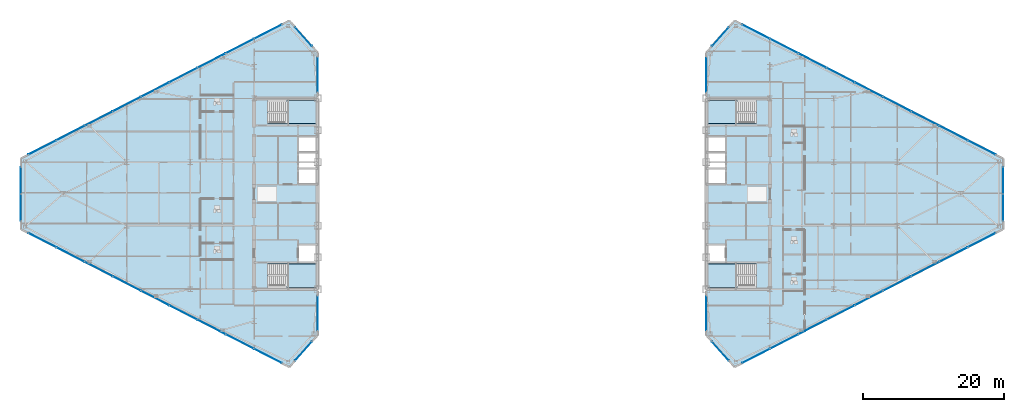
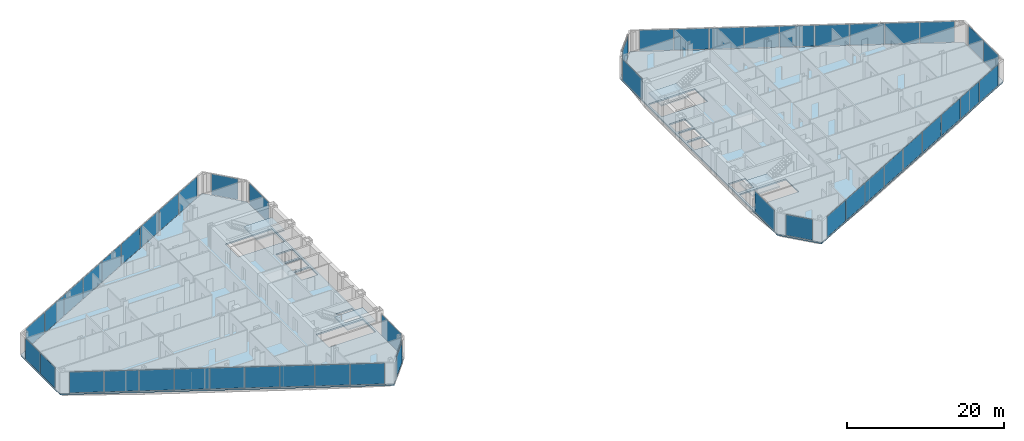
# One storey, part 14 of 23: 48 plates, 6 slabs, 18 elements without a shape of their own.
"""IFC4 building model written with IfcOpenShell, lengths in metres."""

from ifc_helpers import new_model, si_unit, direction, frame, origin, origin_2d, place, context, subcontext, project, spatial, polyline, rectangle, outline, extrude, source, transform, mapped, material, layer, layer_set, type_object, type_shapes, element, aggregate, save


model = new_model("IFC4")

# Units and contexts
model_context = context("Model", 3, precision=1e-05, world=origin(), true_north=direction((0.0, 1.0)))
body_context = subcontext(model_context, "Body", "Model", "MODEL_VIEW")
ifc_project = project(units=[si_unit("LENGTHUNIT", "METRE"), si_unit("AREAUNIT", "SQUARE_METRE"), si_unit("VOLUMEUNIT", "CUBIC_METRE"), si_unit("PLANEANGLEUNIT", "RADIAN"), si_unit("MASSUNIT", "GRAM", prefix="KILO")], contexts=[model_context])

# Site, building, storey
site_placement = place(None, origin())
site = spatial("IfcSite", under=ifc_project, at=site_placement, CompositionType="ELEMENT")
building_placement = place(site_placement, origin())
building = spatial("IfcBuilding", under=site, at=building_placement, Name="Seokmaru Belvedere", CompositionType="ELEMENT")
storey_placement = place(building_placement, frame((0.0, 0.0, 154.800048828125)))
storey = spatial("IfcBuildingStorey", under=building, at=storey_placement, Name="L41", CompositionType="ELEMENT", Elevation=154.800048828125)

# Stair, slab
ifc_material_1 = material(Name="Concrete C40 (40 MPa)", Category="concrete")
stair_type = type_object("IfcStairType", Name="Typical Tower Core Dog-Leg Stair 3600", PredefinedType="TWO_STRAIGHT_RUN_STAIR", material=ifc_material_1)
stair_1_placement = place(storey_placement, origin())
stair_1 = element("IfcStair", 1, at=stair_1_placement, inside=storey, type_object=stair_type, Name="L41 Special Escape Stair ST-W1", PredefinedType="TWO_STRAIGHT_RUN_STAIR")
ifc_layer_1 = layer(ifc_material_1, 0.199951171875)
ifc_layer_set_1 = layer_set([ifc_layer_1], Name="Concrete C40 (40 MPa)")
slab_type_1 = type_object("IfcSlabType", Name="Reinforced Concrete Stair Landing Slab 200", PredefinedType="LANDING", material=ifc_layer_set_1)
slab_1_placement = place(storey_placement, frame((0.0, 0.0, 1.599853515625)))
slab_1 = element("IfcSlab", 2, at=slab_1_placement, type_object=slab_type_1, Name="ST-W1 landing 1", PredefinedType="LANDING", context=body_context, shape_type="SweptSolid", body=[
    extrude(outline(polyline([(-31.8798828125, -13.239990234375), (-27.760009765625, -13.239990234375), (-27.760009765625, -9.949951171875), (-31.8798828125, -9.949951171875), (-31.8798828125, -13.239990234375)])), origin(), (0.0, 0.0, 1.0), 0.2001953125),
])
aggregate(stair_1, [slab_1])

stair_2_placement = place(storey_placement, origin())
stair_2 = element("IfcStair", 3, at=stair_2_placement, inside=storey, type_object=stair_type, Name="L41 Special Escape Stair ST-W2", PredefinedType="TWO_STRAIGHT_RUN_STAIR")
slab_2_placement = place(storey_placement, frame((0.0, 0.0, 1.599853515625)))
slab_2 = element("IfcSlab", 4, at=slab_2_placement, type_object=slab_type_1, Name="ST-W2 landing 1", PredefinedType="LANDING", context=body_context, shape_type="SweptSolid", body=[
    extrude(outline(polyline([(-31.8798828125, 9.949951171875), (-27.760009765625, 9.949951171875), (-27.760009765625, 13.239990234375), (-31.8798828125, 13.239990234375), (-31.8798828125, 9.949951171875)])), origin(), (0.0, 0.0, 1.0), 0.2001953125),
])
aggregate(stair_2, [slab_2])

stair_3_placement = place(storey_placement, origin())
stair_3 = element("IfcStair", 5, at=stair_3_placement, inside=storey, type_object=stair_type, Name="L41 Special Escape Stair ST-E1", PredefinedType="TWO_STRAIGHT_RUN_STAIR")
slab_3_placement = place(storey_placement, frame((0.0, 0.0, 1.599853515625)))
slab_3 = element("IfcSlab", 6, at=slab_3_placement, type_object=slab_type_1, Name="ST-E1 landing 1", PredefinedType="LANDING", context=body_context, shape_type="SweptSolid", body=[
    extrude(outline(polyline([(27.760009765625, -13.239990234375), (31.8798828125, -13.239990234375), (31.8798828125, -9.949951171875), (27.760009765625, -9.949951171875), (27.760009765625, -13.239990234375)])), origin(), (0.0, 0.0, 1.0), 0.2001953125),
])
aggregate(stair_3, [slab_3])

stair_4_placement = place(storey_placement, origin())
stair_4 = element("IfcStair", 7, at=stair_4_placement, inside=storey, type_object=stair_type, Name="L41 Special Escape Stair ST-E2", PredefinedType="TWO_STRAIGHT_RUN_STAIR")
slab_4_placement = place(storey_placement, frame((0.0, 0.0, 1.599853515625)))
slab_4 = element("IfcSlab", 8, at=slab_4_placement, type_object=slab_type_1, Name="ST-E2 landing 1", PredefinedType="LANDING", context=body_context, shape_type="SweptSolid", body=[
    extrude(outline(polyline([(27.760009765625, 9.949951171875), (31.8798828125, 9.949951171875), (31.8798828125, 13.239990234375), (27.760009765625, 13.239990234375), (27.760009765625, 9.949951171875)])), origin(), (0.0, 0.0, 1.0), 0.2001953125),
])
aggregate(stair_4, [slab_4])

# Slabs
ifc_layer_2 = layer(ifc_material_1, 0.219970703125)
ifc_layer_set_2 = layer_set([ifc_layer_2], Name="Concrete C40 (40 MPa)")
slab_type_2 = type_object("IfcSlabType", Name="Typical Tower Composite Floor Slab 220", PredefinedType="FLOOR", material=ifc_layer_set_2)
slab_5_placement = place(storey_placement, frame((0.0, 0.0, -0.219970703125)))
element("IfcSlab", 9, at=slab_5_placement, inside=storey, type_object=slab_type_2, Name="L41 West Leg Floor Slab", PredefinedType="FLOOR", context=body_context, shape_type="SweptSolid", body=[
    extrude(outline(polyline([(-27.5, -20.0), (-27.5, 20.0), (-31.5, 24.5), (-69.5, 5.0), (-69.5, -5.0), (-31.5, -24.5), (-27.5, -20.0)]), holes=[polyline([(-34.60009765625, -13.25), (-27.75, -13.25), (-27.75, -9.949951171875), (-34.60009765625, -9.949951171875), (-34.60009765625, -13.25)]), polyline([(-34.60009765625, 9.949951171875), (-27.75, 9.949951171875), (-27.75, 13.25), (-34.60009765625, 13.25), (-34.60009765625, 9.949951171875)]), polyline([(-30.14990234375, -9.550048828125), (-27.75, -9.550048828125), (-27.75, -7.25), (-30.14990234375, -7.25), (-30.14990234375, -9.550048828125)]), polyline([(-30.14990234375, 1.449951171875), (-27.75, 1.449951171875), (-27.75, 3.449951171875), (-30.14990234375, 3.449951171875), (-30.14990234375, 1.449951171875)]), polyline([(-30.14990234375, 3.75), (-27.75, 3.75), (-27.75, 5.75), (-30.14990234375, 5.75), (-30.14990234375, 3.75)]), polyline([(-30.14990234375, 6.050048828125), (-27.75, 6.050048828125), (-27.75, 8.050048828125), (-30.14990234375, 8.050048828125), (-30.14990234375, 6.050048828125)])]), origin(), (0.0, 0.0, 1.0), 0.219970703125),
])
slab_6_placement = place(storey_placement, frame((0.0, 0.0, -0.219970703125)))
element("IfcSlab", 10, at=slab_6_placement, inside=storey, type_object=slab_type_2, Name="L41 East Leg Floor Slab", PredefinedType="FLOOR", context=body_context, shape_type="SweptSolid", body=[
    extrude(outline(polyline([(31.5, -24.5), (69.5, -5.0), (69.5, 5.0), (31.5, 24.5), (27.5, 20.0), (27.5, -20.0), (31.5, -24.5)]), holes=[polyline([(27.75, -13.25), (34.60009765625, -13.25), (34.60009765625, -9.949951171875), (27.75, -9.949951171875), (27.75, -13.25)]), polyline([(27.75, 9.949951171875), (34.60009765625, 9.949951171875), (34.60009765625, 13.25), (27.75, 13.25), (27.75, 9.949951171875)]), polyline([(27.75, -9.550048828125), (30.14990234375, -9.550048828125), (30.14990234375, -7.25), (27.75, -7.25), (27.75, -9.550048828125)]), polyline([(27.75, 1.449951171875), (30.14990234375, 1.449951171875), (30.14990234375, 3.449951171875), (27.75, 3.449951171875), (27.75, 1.449951171875)]), polyline([(27.75, 3.75), (30.14990234375, 3.75), (30.14990234375, 5.75), (27.75, 5.75), (27.75, 3.75)]), polyline([(27.75, 6.050048828125), (30.14990234375, 6.050048828125), (30.14990234375, 8.050048828125), (27.75, 8.050048828125), (27.75, 6.050048828125)])]), origin(), (0.0, 0.0, 1.0), 0.219970703125),
])

# Curtain wall, plate
ifc_material_2 = material(Name="Bronze Triple Insulating Glass", Category="glass")
ifc_layer_3 = layer(ifc_material_2, 0.195068359375)
ifc_layer_set_3 = layer_set([ifc_layer_3], Name="Bronze Triple Insulating Glass")
curtain_wall_type = type_object("IfcCurtainWallType", Name="Sky-Lobby and Mid-Rise Curtain Wall System CW-4", PredefinedType="NOTDEFINED", material=ifc_layer_set_3)
curtain_wall_1_placement = place(storey_placement, origin())
curtain_wall_1 = element("IfcCurtainWall", 11, at=curtain_wall_1_placement, inside=storey, type_object=curtain_wall_type, Name="L41 Curtain Wall WF2", PredefinedType="NOTDEFINED")
ifc_layer_4 = layer(ifc_material_2, 0.035888671875)
ifc_layer_set_4 = layer_set([ifc_layer_4], Name="Bronze Triple Insulating Glass")
plate_type = type_object("IfcPlateType", Name="Bronze Triple Vision Glazing Panel 36", PredefinedType="CURTAIN_PANEL", material=ifc_layer_set_4)
shared_shape_1 = source(origin(), body_context, "Body", "SweptSolid", [
    extrude(rectangle(XDim=3.580810546875, YDim=0.035888671875, at=origin_2d()), origin(), (0.0, 0.0, 1.0), 3.25),
])
plate_1_placement = place(storey_placement, frame((-29.5, 22.25, 0.06494140625), z_axis=(0.0, 0.0, 1.0), x_axis=(-0.664363325694, 0.747409774804, 0.0)))
plate_1 = element("IfcPlate", 12, at=plate_1_placement, type_object=plate_type, Name="CW:L41:WF2 Glazing Panel 1-1", PredefinedType="CURTAIN_PANEL", context=body_context, shape_type="MappedRepresentation", body=[
    mapped(shared_shape_1, transform((0.0, 0.0, 0.0), scale=1.0)),
])
aggregate(curtain_wall_1, [plate_1])

curtain_wall_2_placement = place(storey_placement, origin())
curtain_wall_2 = element("IfcCurtainWall", 13, at=curtain_wall_2_placement, inside=storey, type_object=curtain_wall_type, Name="L41 Curtain Wall WF6", PredefinedType="NOTDEFINED")
plate_2_placement = place(storey_placement, frame((-29.5, -22.25, 0.06494140625), z_axis=(0.0, 0.0, 1.0), x_axis=(0.664363325694, 0.747409774804, 0.0)))
plate_2 = element("IfcPlate", 14, at=plate_2_placement, type_object=plate_type, Name="CW:L41:WF6 Glazing Panel 1-1", PredefinedType="CURTAIN_PANEL", context=body_context, shape_type="MappedRepresentation", body=[
    mapped(shared_shape_1, transform((0.0, 0.0, 0.0), scale=1.0)),
])
aggregate(curtain_wall_2, [plate_2])

curtain_wall_3_placement = place(storey_placement, origin())
curtain_wall_3 = element("IfcCurtainWall", 15, at=curtain_wall_3_placement, inside=storey, type_object=curtain_wall_type, Name="L41 Curtain Wall EF4", PredefinedType="NOTDEFINED")
plate_3_placement = place(storey_placement, frame((29.5, 22.25, 0.06494140625), z_axis=(0.0, 0.0, 1.0), x_axis=(-0.664363325694, -0.747409774804, 0.0)))
plate_3 = element("IfcPlate", 16, at=plate_3_placement, type_object=plate_type, Name="CW:L41:EF4 Glazing Panel 1-1", PredefinedType="CURTAIN_PANEL", context=body_context, shape_type="MappedRepresentation", body=[
    mapped(shared_shape_1, transform((0.0, 0.0, 0.0), scale=1.0)),
])
aggregate(curtain_wall_3, [plate_3])

curtain_wall_4_placement = place(storey_placement, origin())
curtain_wall_4 = element("IfcCurtainWall", 17, at=curtain_wall_4_placement, inside=storey, type_object=curtain_wall_type, Name="L41 Curtain Wall EF6", PredefinedType="NOTDEFINED")
plate_4_placement = place(storey_placement, frame((29.5, -22.25, 0.06494140625), z_axis=(0.0, 0.0, 1.0), x_axis=(0.664363325694, -0.747409774804, 0.0)))
plate_4 = element("IfcPlate", 18, at=plate_4_placement, type_object=plate_type, Name="CW:L41:EF6 Glazing Panel 1-1", PredefinedType="CURTAIN_PANEL", context=body_context, shape_type="MappedRepresentation", body=[
    mapped(shared_shape_1, transform((0.0, 0.0, 0.0), scale=1.0)),
])
aggregate(curtain_wall_4, [plate_4])

# Curtain wall, plates
curtain_wall_5_placement = place(storey_placement, origin())
curtain_wall_5 = element("IfcCurtainWall", 19, at=curtain_wall_5_placement, inside=storey, type_object=curtain_wall_type, Name="L41 Curtain Wall WF3", PredefinedType="NOTDEFINED")
shared_shape_2 = source(origin(), body_context, "Body", "SweptSolid", [
    extrude(rectangle(XDim=4.38525390625, YDim=0.035888671875, at=origin_2d()), origin(), (0.0, 0.0, 1.0), 3.25),
])
plate_5_placement = place(storey_placement, frame((-34.5361328125, 22.94189453125, 0.06494140625), z_axis=(0.0, 0.0, 1.0), x_axis=(-0.889695432562, -0.456554528263, 0.0)))
plate_5 = element("IfcPlate", 20, at=plate_5_placement, type_object=plate_type, Name="CW:L41:WF3 Glazing Panel 1-1", PredefinedType="CURTAIN_PANEL", context=body_context, shape_type="MappedRepresentation", body=[
    mapped(shared_shape_2, transform((0.0, 0.0, 0.0), scale=1.0)),
])
plate_6_placement = place(storey_placement, frame((-66.4638671875, 6.55810546875, 0.06494140625), z_axis=(0.0, 0.0, 1.0), x_axis=(-0.889695432562, -0.456554528263, 0.0)))
plate_6 = element("IfcPlate", 21, at=plate_6_placement, type_object=plate_type, Name="CW:L41:WF3 Glazing Panel 9-1", PredefinedType="CURTAIN_PANEL", context=body_context, shape_type="MappedRepresentation", body=[
    mapped(shared_shape_2, transform((0.0, 0.0, 0.0), scale=1.0)),
])

curtain_wall_6_placement = place(storey_placement, origin())
curtain_wall_6 = element("IfcCurtainWall", 22, at=curtain_wall_6_placement, inside=storey, type_object=curtain_wall_type, Name="L41 Curtain Wall WF5", PredefinedType="NOTDEFINED")
plate_7_placement = place(storey_placement, frame((-66.4638671875, -6.55810546875, 0.06494140625), z_axis=(0.0, 0.0, 1.0), x_axis=(0.889695432562, -0.456554528263, 0.0)))
plate_7 = element("IfcPlate", 23, at=plate_7_placement, type_object=plate_type, Name="CW:L41:WF5 Glazing Panel 1-1", PredefinedType="CURTAIN_PANEL", context=body_context, shape_type="MappedRepresentation", body=[
    mapped(shared_shape_2, transform((0.0, 0.0, 0.0), scale=1.0)),
])
plate_8_placement = place(storey_placement, frame((-34.5361328125, -22.94189453125, 0.06494140625), z_axis=(0.0, 0.0, 1.0), x_axis=(0.889695432562, -0.456554528263, 0.0)))
plate_8 = element("IfcPlate", 24, at=plate_8_placement, type_object=plate_type, Name="CW:L41:WF5 Glazing Panel 9-1", PredefinedType="CURTAIN_PANEL", context=body_context, shape_type="MappedRepresentation", body=[
    mapped(shared_shape_2, transform((0.0, 0.0, 0.0), scale=1.0)),
])

curtain_wall_7_placement = place(storey_placement, origin())
curtain_wall_7 = element("IfcCurtainWall", 25, at=curtain_wall_7_placement, inside=storey, type_object=curtain_wall_type, Name="L41 Curtain Wall EF1", PredefinedType="NOTDEFINED")
plate_9_placement = place(storey_placement, frame((34.5361328125, -22.94189453125, 0.06494140625), z_axis=(0.0, 0.0, 1.0), x_axis=(0.889695432562, 0.456554528263, 0.0)))
plate_9 = element("IfcPlate", 26, at=plate_9_placement, type_object=plate_type, Name="CW:L41:EF1 Glazing Panel 1-1", PredefinedType="CURTAIN_PANEL", context=body_context, shape_type="MappedRepresentation", body=[
    mapped(shared_shape_2, transform((0.0, 0.0, 0.0), scale=1.0)),
])
plate_10_placement = place(storey_placement, frame((66.4638671875, -6.55810546875, 0.06494140625), z_axis=(0.0, 0.0, 1.0), x_axis=(0.889695432562, 0.456554528263, 0.0)))
plate_10 = element("IfcPlate", 27, at=plate_10_placement, type_object=plate_type, Name="CW:L41:EF1 Glazing Panel 9-1", PredefinedType="CURTAIN_PANEL", context=body_context, shape_type="MappedRepresentation", body=[
    mapped(shared_shape_2, transform((0.0, 0.0, 0.0), scale=1.0)),
])

curtain_wall_8_placement = place(storey_placement, origin())
curtain_wall_8 = element("IfcCurtainWall", 28, at=curtain_wall_8_placement, inside=storey, type_object=curtain_wall_type, Name="L41 Curtain Wall EF3", PredefinedType="NOTDEFINED")
plate_11_placement = place(storey_placement, frame((66.4638671875, 6.55810546875, 0.06494140625), z_axis=(0.0, 0.0, 1.0), x_axis=(-0.889695432562, 0.456554528263, 0.0)))
plate_11 = element("IfcPlate", 29, at=plate_11_placement, type_object=plate_type, Name="CW:L41:EF3 Glazing Panel 1-1", PredefinedType="CURTAIN_PANEL", context=body_context, shape_type="MappedRepresentation", body=[
    mapped(shared_shape_2, transform((0.0, 0.0, 0.0), scale=1.0)),
])
plate_12_placement = place(storey_placement, frame((34.5361328125, 22.94189453125, 0.06494140625), z_axis=(0.0, 0.0, 1.0), x_axis=(-0.889695432562, 0.456554528263, 0.0)))
plate_12 = element("IfcPlate", 30, at=plate_12_placement, type_object=plate_type, Name="CW:L41:EF3 Glazing Panel 9-1", PredefinedType="CURTAIN_PANEL", context=body_context, shape_type="MappedRepresentation", body=[
    mapped(shared_shape_2, transform((0.0, 0.0, 0.0), scale=1.0)),
])

# Plate
shared_shape_3 = source(origin(), body_context, "Body", "SweptSolid", [
    extrude(rectangle(XDim=4.420166015625, YDim=0.035888671875, at=origin_2d()), origin(), (0.0, 0.0, 1.0), 3.25),
])
plate_13_placement = place(storey_placement, frame((-38.515380859375, 20.89990234375, 0.06494140625), z_axis=(0.0, 0.0, 1.0), x_axis=(-0.889695432562, -0.456554528263, 0.0)))
plate_13 = element("IfcPlate", 31, at=plate_13_placement, type_object=plate_type, Name="CW:L41:WF3 Glazing Panel 2-1", PredefinedType="CURTAIN_PANEL", context=body_context, shape_type="MappedRepresentation", body=[
    mapped(shared_shape_3, transform((0.0, 0.0, 0.0), scale=1.0)),
])

plate_14_placement = place(storey_placement, frame((-42.51025390625, 18.85009765625, 0.06494140625), z_axis=(0.0, 0.0, 1.0), x_axis=(-0.889695432562, -0.456554528263, 0.0)))
plate_14 = element("IfcPlate", 32, at=plate_14_placement, type_object=plate_type, Name="CW:L41:WF3 Glazing Panel 3-1", PredefinedType="CURTAIN_PANEL", context=body_context, shape_type="MappedRepresentation", body=[
    mapped(shared_shape_3, transform((0.0, 0.0, 0.0), scale=1.0)),
])

plate_15_placement = place(storey_placement, frame((-46.505126953125, 16.800048828125, 0.06494140625), z_axis=(0.0, 0.0, 1.0), x_axis=(-0.889695432562, -0.456554528263, 0.0)))
plate_15 = element("IfcPlate", 33, at=plate_15_placement, type_object=plate_type, Name="CW:L41:WF3 Glazing Panel 4-1", PredefinedType="CURTAIN_PANEL", context=body_context, shape_type="MappedRepresentation", body=[
    mapped(shared_shape_3, transform((0.0, 0.0, 0.0), scale=1.0)),
])

plate_16_placement = place(storey_placement, frame((-50.5, 14.75, 0.06494140625), z_axis=(0.0, 0.0, 1.0), x_axis=(-0.889695432562, -0.456554528263, 0.0)))
plate_16 = element("IfcPlate", 34, at=plate_16_placement, type_object=plate_type, Name="CW:L41:WF3 Glazing Panel 5-1", PredefinedType="CURTAIN_PANEL", context=body_context, shape_type="MappedRepresentation", body=[
    mapped(shared_shape_3, transform((0.0, 0.0, 0.0), scale=1.0)),
])

plate_17_placement = place(storey_placement, frame((-54.494873046875, 12.699951171875, 0.06494140625), z_axis=(0.0, 0.0, 1.0), x_axis=(-0.889695432562, -0.456554528263, 0.0)))
plate_17 = element("IfcPlate", 35, at=plate_17_placement, type_object=plate_type, Name="CW:L41:WF3 Glazing Panel 6-1", PredefinedType="CURTAIN_PANEL", context=body_context, shape_type="MappedRepresentation", body=[
    mapped(shared_shape_3, transform((0.0, 0.0, 0.0), scale=1.0)),
])

plate_18_placement = place(storey_placement, frame((-58.48974609375, 10.64990234375, 0.06494140625), z_axis=(0.0, 0.0, 1.0), x_axis=(-0.889695432562, -0.456554528263, 0.0)))
plate_18 = element("IfcPlate", 36, at=plate_18_placement, type_object=plate_type, Name="CW:L41:WF3 Glazing Panel 7-1", PredefinedType="CURTAIN_PANEL", context=body_context, shape_type="MappedRepresentation", body=[
    mapped(shared_shape_3, transform((0.0, 0.0, 0.0), scale=1.0)),
])

plate_19_placement = place(storey_placement, frame((-62.484619140625, 8.60009765625, 0.06494140625), z_axis=(0.0, 0.0, 1.0), x_axis=(-0.889695432562, -0.456554528263, 0.0)))
plate_19 = element("IfcPlate", 37, at=plate_19_placement, type_object=plate_type, Name="CW:L41:WF3 Glazing Panel 8-1", PredefinedType="CURTAIN_PANEL", context=body_context, shape_type="MappedRepresentation", body=[
    mapped(shared_shape_3, transform((0.0, 0.0, 0.0), scale=1.0)),
])

aggregate(curtain_wall_5, [plate_5, plate_13, plate_14, plate_15, plate_16, plate_17, plate_18, plate_19, plate_6])

plate_20_placement = place(storey_placement, frame((-62.484619140625, -8.60009765625, 0.06494140625), z_axis=(0.0, 0.0, 1.0), x_axis=(0.889695432562, -0.456554528263, 0.0)))
plate_20 = element("IfcPlate", 38, at=plate_20_placement, type_object=plate_type, Name="CW:L41:WF5 Glazing Panel 2-1", PredefinedType="CURTAIN_PANEL", context=body_context, shape_type="MappedRepresentation", body=[
    mapped(shared_shape_3, transform((0.0, 0.0, 0.0), scale=1.0)),
])

plate_21_placement = place(storey_placement, frame((-58.48974609375, -10.64990234375, 0.06494140625), z_axis=(0.0, 0.0, 1.0), x_axis=(0.889695432562, -0.456554528263, 0.0)))
plate_21 = element("IfcPlate", 39, at=plate_21_placement, type_object=plate_type, Name="CW:L41:WF5 Glazing Panel 3-1", PredefinedType="CURTAIN_PANEL", context=body_context, shape_type="MappedRepresentation", body=[
    mapped(shared_shape_3, transform((0.0, 0.0, 0.0), scale=1.0)),
])

plate_22_placement = place(storey_placement, frame((-54.494873046875, -12.699951171875, 0.06494140625), z_axis=(0.0, 0.0, 1.0), x_axis=(0.889695432562, -0.456554528263, 0.0)))
plate_22 = element("IfcPlate", 40, at=plate_22_placement, type_object=plate_type, Name="CW:L41:WF5 Glazing Panel 4-1", PredefinedType="CURTAIN_PANEL", context=body_context, shape_type="MappedRepresentation", body=[
    mapped(shared_shape_3, transform((0.0, 0.0, 0.0), scale=1.0)),
])

plate_23_placement = place(storey_placement, frame((-50.5, -14.75, 0.06494140625), z_axis=(0.0, 0.0, 1.0), x_axis=(0.889695432562, -0.456554528263, 0.0)))
plate_23 = element("IfcPlate", 41, at=plate_23_placement, type_object=plate_type, Name="CW:L41:WF5 Glazing Panel 5-1", PredefinedType="CURTAIN_PANEL", context=body_context, shape_type="MappedRepresentation", body=[
    mapped(shared_shape_3, transform((0.0, 0.0, 0.0), scale=1.0)),
])

plate_24_placement = place(storey_placement, frame((-46.505126953125, -16.800048828125, 0.06494140625), z_axis=(0.0, 0.0, 1.0), x_axis=(0.889695432562, -0.456554528263, 0.0)))
plate_24 = element("IfcPlate", 42, at=plate_24_placement, type_object=plate_type, Name="CW:L41:WF5 Glazing Panel 6-1", PredefinedType="CURTAIN_PANEL", context=body_context, shape_type="MappedRepresentation", body=[
    mapped(shared_shape_3, transform((0.0, 0.0, 0.0), scale=1.0)),
])

plate_25_placement = place(storey_placement, frame((-42.51025390625, -18.85009765625, 0.06494140625), z_axis=(0.0, 0.0, 1.0), x_axis=(0.889695432562, -0.456554528263, 0.0)))
plate_25 = element("IfcPlate", 43, at=plate_25_placement, type_object=plate_type, Name="CW:L41:WF5 Glazing Panel 7-1", PredefinedType="CURTAIN_PANEL", context=body_context, shape_type="MappedRepresentation", body=[
    mapped(shared_shape_3, transform((0.0, 0.0, 0.0), scale=1.0)),
])

plate_26_placement = place(storey_placement, frame((-38.515380859375, -20.89990234375, 0.06494140625), z_axis=(0.0, 0.0, 1.0), x_axis=(0.889695432562, -0.456554528263, 0.0)))
plate_26 = element("IfcPlate", 44, at=plate_26_placement, type_object=plate_type, Name="CW:L41:WF5 Glazing Panel 8-1", PredefinedType="CURTAIN_PANEL", context=body_context, shape_type="MappedRepresentation", body=[
    mapped(shared_shape_3, transform((0.0, 0.0, 0.0), scale=1.0)),
])

aggregate(curtain_wall_6, [plate_7, plate_20, plate_21, plate_22, plate_23, plate_24, plate_25, plate_26, plate_8])

plate_27_placement = place(storey_placement, frame((38.515380859375, -20.89990234375, 0.06494140625), z_axis=(0.0, 0.0, 1.0), x_axis=(0.889695432562, 0.456554528263, 0.0)))
plate_27 = element("IfcPlate", 45, at=plate_27_placement, type_object=plate_type, Name="CW:L41:EF1 Glazing Panel 2-1", PredefinedType="CURTAIN_PANEL", context=body_context, shape_type="MappedRepresentation", body=[
    mapped(shared_shape_3, transform((0.0, 0.0, 0.0), scale=1.0)),
])

plate_28_placement = place(storey_placement, frame((42.51025390625, -18.85009765625, 0.06494140625), z_axis=(0.0, 0.0, 1.0), x_axis=(0.889695432562, 0.456554528263, 0.0)))
plate_28 = element("IfcPlate", 46, at=plate_28_placement, type_object=plate_type, Name="CW:L41:EF1 Glazing Panel 3-1", PredefinedType="CURTAIN_PANEL", context=body_context, shape_type="MappedRepresentation", body=[
    mapped(shared_shape_3, transform((0.0, 0.0, 0.0), scale=1.0)),
])

plate_29_placement = place(storey_placement, frame((46.505126953125, -16.800048828125, 0.06494140625), z_axis=(0.0, 0.0, 1.0), x_axis=(0.889695432562, 0.456554528263, 0.0)))
plate_29 = element("IfcPlate", 47, at=plate_29_placement, type_object=plate_type, Name="CW:L41:EF1 Glazing Panel 4-1", PredefinedType="CURTAIN_PANEL", context=body_context, shape_type="MappedRepresentation", body=[
    mapped(shared_shape_3, transform((0.0, 0.0, 0.0), scale=1.0)),
])

plate_30_placement = place(storey_placement, frame((50.5, -14.75, 0.06494140625), z_axis=(0.0, 0.0, 1.0), x_axis=(0.889695432562, 0.456554528263, 0.0)))
plate_30 = element("IfcPlate", 48, at=plate_30_placement, type_object=plate_type, Name="CW:L41:EF1 Glazing Panel 5-1", PredefinedType="CURTAIN_PANEL", context=body_context, shape_type="MappedRepresentation", body=[
    mapped(shared_shape_3, transform((0.0, 0.0, 0.0), scale=1.0)),
])

plate_31_placement = place(storey_placement, frame((54.494873046875, -12.699951171875, 0.06494140625), z_axis=(0.0, 0.0, 1.0), x_axis=(0.889695432562, 0.456554528263, 0.0)))
plate_31 = element("IfcPlate", 49, at=plate_31_placement, type_object=plate_type, Name="CW:L41:EF1 Glazing Panel 6-1", PredefinedType="CURTAIN_PANEL", context=body_context, shape_type="MappedRepresentation", body=[
    mapped(shared_shape_3, transform((0.0, 0.0, 0.0), scale=1.0)),
])

plate_32_placement = place(storey_placement, frame((58.48974609375, -10.64990234375, 0.06494140625), z_axis=(0.0, 0.0, 1.0), x_axis=(0.889695432562, 0.456554528263, 0.0)))
plate_32 = element("IfcPlate", 50, at=plate_32_placement, type_object=plate_type, Name="CW:L41:EF1 Glazing Panel 7-1", PredefinedType="CURTAIN_PANEL", context=body_context, shape_type="MappedRepresentation", body=[
    mapped(shared_shape_3, transform((0.0, 0.0, 0.0), scale=1.0)),
])

plate_33_placement = place(storey_placement, frame((62.484619140625, -8.60009765625, 0.06494140625), z_axis=(0.0, 0.0, 1.0), x_axis=(0.889695432562, 0.456554528263, 0.0)))
plate_33 = element("IfcPlate", 51, at=plate_33_placement, type_object=plate_type, Name="CW:L41:EF1 Glazing Panel 8-1", PredefinedType="CURTAIN_PANEL", context=body_context, shape_type="MappedRepresentation", body=[
    mapped(shared_shape_3, transform((0.0, 0.0, 0.0), scale=1.0)),
])

aggregate(curtain_wall_7, [plate_9, plate_27, plate_28, plate_29, plate_30, plate_31, plate_32, plate_33, plate_10])

plate_34_placement = place(storey_placement, frame((62.484619140625, 8.60009765625, 0.06494140625), z_axis=(0.0, 0.0, 1.0), x_axis=(-0.889695432562, 0.456554528263, 0.0)))
plate_34 = element("IfcPlate", 52, at=plate_34_placement, type_object=plate_type, Name="CW:L41:EF3 Glazing Panel 2-1", PredefinedType="CURTAIN_PANEL", context=body_context, shape_type="MappedRepresentation", body=[
    mapped(shared_shape_3, transform((0.0, 0.0, 0.0), scale=1.0)),
])

plate_35_placement = place(storey_placement, frame((58.48974609375, 10.64990234375, 0.06494140625), z_axis=(0.0, 0.0, 1.0), x_axis=(-0.889695432562, 0.456554528263, 0.0)))
plate_35 = element("IfcPlate", 53, at=plate_35_placement, type_object=plate_type, Name="CW:L41:EF3 Glazing Panel 3-1", PredefinedType="CURTAIN_PANEL", context=body_context, shape_type="MappedRepresentation", body=[
    mapped(shared_shape_3, transform((0.0, 0.0, 0.0), scale=1.0)),
])

plate_36_placement = place(storey_placement, frame((54.494873046875, 12.699951171875, 0.06494140625), z_axis=(0.0, 0.0, 1.0), x_axis=(-0.889695432562, 0.456554528263, 0.0)))
plate_36 = element("IfcPlate", 54, at=plate_36_placement, type_object=plate_type, Name="CW:L41:EF3 Glazing Panel 4-1", PredefinedType="CURTAIN_PANEL", context=body_context, shape_type="MappedRepresentation", body=[
    mapped(shared_shape_3, transform((0.0, 0.0, 0.0), scale=1.0)),
])

plate_37_placement = place(storey_placement, frame((50.5, 14.75, 0.06494140625), z_axis=(0.0, 0.0, 1.0), x_axis=(-0.889695432562, 0.456554528263, 0.0)))
plate_37 = element("IfcPlate", 55, at=plate_37_placement, type_object=plate_type, Name="CW:L41:EF3 Glazing Panel 5-1", PredefinedType="CURTAIN_PANEL", context=body_context, shape_type="MappedRepresentation", body=[
    mapped(shared_shape_3, transform((0.0, 0.0, 0.0), scale=1.0)),
])

plate_38_placement = place(storey_placement, frame((46.505126953125, 16.800048828125, 0.06494140625), z_axis=(0.0, 0.0, 1.0), x_axis=(-0.889695432562, 0.456554528263, 0.0)))
plate_38 = element("IfcPlate", 56, at=plate_38_placement, type_object=plate_type, Name="CW:L41:EF3 Glazing Panel 6-1", PredefinedType="CURTAIN_PANEL", context=body_context, shape_type="MappedRepresentation", body=[
    mapped(shared_shape_3, transform((0.0, 0.0, 0.0), scale=1.0)),
])

plate_39_placement = place(storey_placement, frame((42.51025390625, 18.85009765625, 0.06494140625), z_axis=(0.0, 0.0, 1.0), x_axis=(-0.889695432562, 0.456554528263, 0.0)))
plate_39 = element("IfcPlate", 57, at=plate_39_placement, type_object=plate_type, Name="CW:L41:EF3 Glazing Panel 7-1", PredefinedType="CURTAIN_PANEL", context=body_context, shape_type="MappedRepresentation", body=[
    mapped(shared_shape_3, transform((0.0, 0.0, 0.0), scale=1.0)),
])

plate_40_placement = place(storey_placement, frame((38.515380859375, 20.89990234375, 0.06494140625), z_axis=(0.0, 0.0, 1.0), x_axis=(-0.889695432562, 0.456554528263, 0.0)))
plate_40 = element("IfcPlate", 58, at=plate_40_placement, type_object=plate_type, Name="CW:L41:EF3 Glazing Panel 8-1", PredefinedType="CURTAIN_PANEL", context=body_context, shape_type="MappedRepresentation", body=[
    mapped(shared_shape_3, transform((0.0, 0.0, 0.0), scale=1.0)),
])

aggregate(curtain_wall_8, [plate_11, plate_34, plate_35, plate_36, plate_37, plate_38, plate_39, plate_40, plate_12])

# Curtain wall, plates
curtain_wall_9_placement = place(storey_placement, origin())
curtain_wall_9 = element("IfcCurtainWall", 59, at=curtain_wall_9_placement, inside=storey, type_object=curtain_wall_type, Name="L41 Curtain Wall WF4", PredefinedType="NOTDEFINED")
shared_shape_4 = source(origin(), body_context, "Body", "SweptSolid", [
    extrude(rectangle(XDim=3.7451171875, YDim=0.035888671875, at=origin_2d()), origin(), (0.0, 0.0, 1.0), 3.25),
])
plate_41_placement = place(storey_placement, frame((-69.5, 1.907470703125, 0.06494140625), z_axis=(0.0, 0.0, 1.0), x_axis=(0.0, -1.0, 0.0)))
plate_41 = element("IfcPlate", 60, at=plate_41_placement, type_object=plate_type, Name="CW:L41:WF4 Glazing Panel 1-1", PredefinedType="CURTAIN_PANEL", context=body_context, shape_type="MappedRepresentation", body=[
    mapped(shared_shape_4, transform((0.0, 0.0, 0.0), scale=1.0)),
])
plate_42_placement = place(storey_placement, frame((-69.5, -1.907470703125, 0.06494140625), z_axis=(0.0, 0.0, 1.0), x_axis=(0.0, -1.0, 0.0)))
plate_42 = element("IfcPlate", 61, at=plate_42_placement, type_object=plate_type, Name="CW:L41:WF4 Glazing Panel 2-1", PredefinedType="CURTAIN_PANEL", context=body_context, shape_type="MappedRepresentation", body=[
    mapped(shared_shape_4, transform((0.0, 0.0, 0.0), scale=1.0)),
])
aggregate(curtain_wall_9, [plate_41, plate_42])

curtain_wall_10_placement = place(storey_placement, origin())
curtain_wall_10 = element("IfcCurtainWall", 62, at=curtain_wall_10_placement, inside=storey, type_object=curtain_wall_type, Name="L41 Curtain Wall EF2", PredefinedType="NOTDEFINED")
plate_43_placement = place(storey_placement, frame((69.5, -1.907470703125, 0.06494140625), z_axis=(0.0, 0.0, 1.0), x_axis=(0.0, 1.0, 0.0)))
plate_43 = element("IfcPlate", 63, at=plate_43_placement, type_object=plate_type, Name="CW:L41:EF2 Glazing Panel 1-1", PredefinedType="CURTAIN_PANEL", context=body_context, shape_type="MappedRepresentation", body=[
    mapped(shared_shape_4, transform((0.0, 0.0, 0.0), scale=1.0)),
])
plate_44_placement = place(storey_placement, frame((69.5, 1.907470703125, 0.06494140625), z_axis=(0.0, 0.0, 1.0), x_axis=(0.0, 1.0, 0.0)))
plate_44 = element("IfcPlate", 64, at=plate_44_placement, type_object=plate_type, Name="CW:L41:EF2 Glazing Panel 2-1", PredefinedType="CURTAIN_PANEL", context=body_context, shape_type="MappedRepresentation", body=[
    mapped(shared_shape_4, transform((0.0, 0.0, 0.0), scale=1.0)),
])
aggregate(curtain_wall_10, [plate_43, plate_44])

# Curtain wall, plate
curtain_wall_11_placement = place(storey_placement, origin())
curtain_wall_11 = element("IfcCurtainWall", 65, at=curtain_wall_11_placement, inside=storey, type_object=curtain_wall_type, Name="L41 Curtain Wall WSP_1", PredefinedType="NOTDEFINED")
shared_shape_5 = source(origin(), body_context, "Body", "SweptSolid", [
    extrude(rectangle(XDim=4.9599609375, YDim=0.035888671875, at=origin_2d()), origin(), (0.0, 0.0, 1.0), 3.25),
])
type_shapes(plate_type, [shared_shape_1, shared_shape_2, shared_shape_3, shared_shape_4, shared_shape_5])
plate_45_placement = place(storey_placement, frame((-27.5, -16.8798828125, 0.06494140625), z_axis=(0.0, 0.0, 1.0), x_axis=(0.0, 1.0, 0.0)))
plate_45 = element("IfcPlate", 66, at=plate_45_placement, type_object=plate_type, Name="CW:L41:WSP_1 Glazing Panel 1-1", PredefinedType="CURTAIN_PANEL", context=body_context, shape_type="MappedRepresentation", body=[
    mapped(shared_shape_5, transform((0.0, 0.0, 0.0), scale=1.0)),
])
aggregate(curtain_wall_11, [plate_45])

curtain_wall_12_placement = place(storey_placement, origin())
curtain_wall_12 = element("IfcCurtainWall", 67, at=curtain_wall_12_placement, inside=storey, type_object=curtain_wall_type, Name="L41 Curtain Wall WSP_2", PredefinedType="NOTDEFINED")
plate_46_placement = place(storey_placement, frame((-27.5, 16.8798828125, 0.06494140625), z_axis=(0.0, 0.0, 1.0), x_axis=(0.0, 1.0, 0.0)))
plate_46 = element("IfcPlate", 68, at=plate_46_placement, type_object=plate_type, Name="CW:L41:WSP_2 Glazing Panel 1-1", PredefinedType="CURTAIN_PANEL", context=body_context, shape_type="MappedRepresentation", body=[
    mapped(shared_shape_5, transform((0.0, 0.0, 0.0), scale=1.0)),
])
aggregate(curtain_wall_12, [plate_46])

curtain_wall_13_placement = place(storey_placement, origin())
curtain_wall_13 = element("IfcCurtainWall", 69, at=curtain_wall_13_placement, inside=storey, type_object=curtain_wall_type, Name="L41 Curtain Wall ESP_1", PredefinedType="NOTDEFINED")
plate_47_placement = place(storey_placement, frame((27.5, -16.8798828125, 0.06494140625), z_axis=(0.0, 0.0, 1.0), x_axis=(0.0, -1.0, 0.0)))
plate_47 = element("IfcPlate", 70, at=plate_47_placement, type_object=plate_type, Name="CW:L41:ESP_1 Glazing Panel 1-1", PredefinedType="CURTAIN_PANEL", context=body_context, shape_type="MappedRepresentation", body=[
    mapped(shared_shape_5, transform((0.0, 0.0, 0.0), scale=1.0)),
])
aggregate(curtain_wall_13, [plate_47])

curtain_wall_14_placement = place(storey_placement, origin())
curtain_wall_14 = element("IfcCurtainWall", 71, at=curtain_wall_14_placement, inside=storey, type_object=curtain_wall_type, Name="L41 Curtain Wall ESP_2", PredefinedType="NOTDEFINED")
plate_48_placement = place(storey_placement, frame((27.5, 16.8798828125, 0.06494140625), z_axis=(0.0, 0.0, 1.0), x_axis=(0.0, -1.0, 0.0)))
plate_48 = element("IfcPlate", 72, at=plate_48_placement, type_object=plate_type, Name="CW:L41:ESP_2 Glazing Panel 1-1", PredefinedType="CURTAIN_PANEL", context=body_context, shape_type="MappedRepresentation", body=[
    mapped(shared_shape_5, transform((0.0, 0.0, 0.0), scale=1.0)),
])
aggregate(curtain_wall_14, [plate_48])

save(model, "model.ifc")
